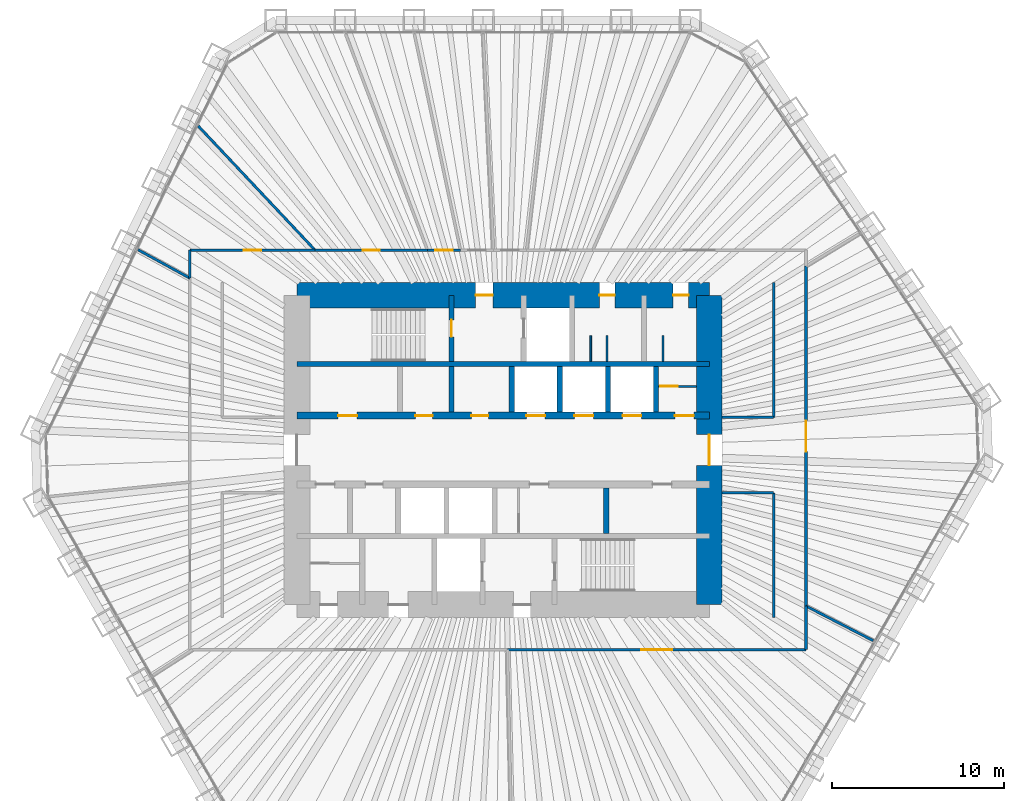
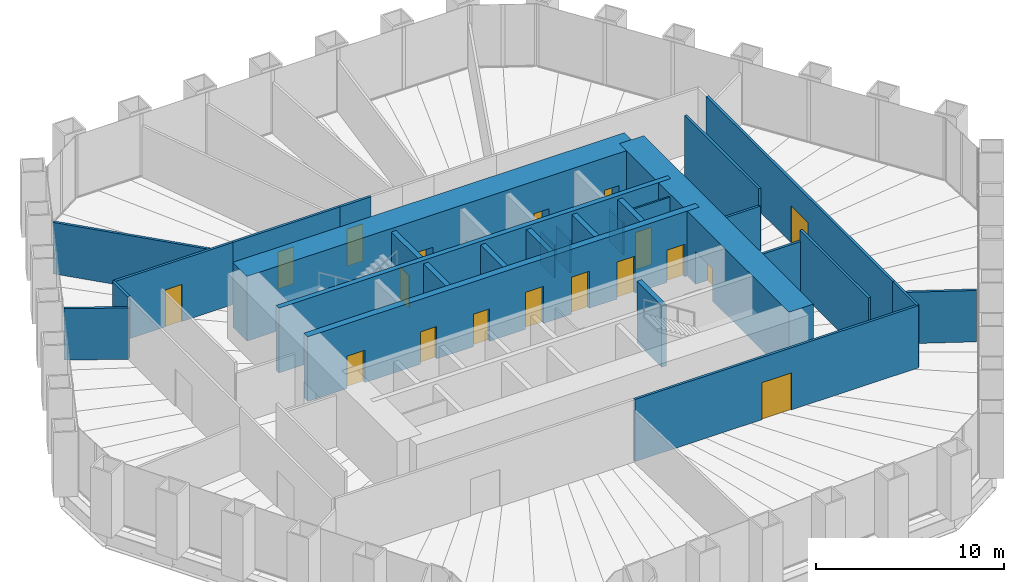
# One storey, part 11 of 13: 29 walls, 18 doors, 18 openings.
"""IFC4 building model written with IfcOpenShell, lengths in metres."""

from ifc_helpers import new_model, si_unit, direction, frame, frame_2d, origin, place, context, subcontext, project, spatial, rectangle, extrude, material, layer, layer_set, type_object, element, fill, save


model = new_model("IFC4")

# Units and contexts
model_context = context("Model", 3, precision=1e-05, world=origin(), true_north=direction((0.0, 1.0)))
body_context = subcontext(model_context, "Body", "Model", "MODEL_VIEW")
ifc_project = project(units=[si_unit("LENGTHUNIT", "METRE"), si_unit("AREAUNIT", "SQUARE_METRE"), si_unit("VOLUMEUNIT", "CUBIC_METRE"), si_unit("PLANEANGLEUNIT", "RADIAN"), si_unit("MASSUNIT", "GRAM", prefix="KILO")], contexts=[model_context])

# Site, building, storey
site_placement = place(None, origin())
site = spatial("IfcSite", under=ifc_project, at=site_placement, CompositionType="ELEMENT")
building_placement = place(site_placement, origin())
building = spatial("IfcBuilding", under=site, at=building_placement, Name="Qingtian Harvest Tower", CompositionType="ELEMENT")
storey_placement = place(building_placement, frame((0.0, 0.0, 136.60009765625)))
storey = spatial("IfcBuildingStorey", under=building, at=storey_placement, Name="L28", CompositionType="ELEMENT", Elevation=136.60009765625)

# Wall
ifc_material_1 = material(Name="Concrete fc' 70 MPa", Category="concrete")
ifc_layer_1 = layer(ifc_material_1, 0.300048828125)
ifc_layer_set_1 = layer_set([ifc_layer_1], Name="Core inner wall RC5 300")
wall_type_1 = type_object("IfcWallType", Name="Core inner wall RC5 300", PredefinedType="SHEAR", material=ifc_layer_set_1)
wall_1_placement = place(storey_placement, frame((-12.0, 5.0, 0.0), z_axis=(0.0, 0.0, 1.0), x_axis=(1.0, 0.0, 0.0)))
element("IfcWall", 1, at=wall_1_placement, inside=storey, type_object=wall_type_1, Name="Core wall IN5 L28", PredefinedType="SHEAR", context=body_context, shape_type="SweptSolid", body=[
    extrude(rectangle(XDim=24.0, YDim=0.300048828125, at=frame_2d((12.0, 0.0))), origin(), (0.0, 0.0, 1.0), 4.199951171875),
])

# Wall, openings, doors
ifc_material_2 = material(Name="Concrete fc' 70 MPa", Category="concrete")
ifc_layer_2 = layer(ifc_material_2, 0.39990234375)
ifc_layer_set_2 = layer_set([ifc_layer_2], Name="Core inner web RC6 400")
wall_type_2 = type_object("IfcWallType", Name="Core inner web RC6 400", PredefinedType="SHEAR", material=ifc_layer_set_2)
wall_2_placement = place(storey_placement, frame((-12.0, 2.0, 0.0), z_axis=(0.0, 0.0, 1.0), x_axis=(1.0, 0.0, 0.0)))
wall_2 = element("IfcWall", 2, at=wall_2_placement, inside=storey, type_object=wall_type_2, Name="Core wall IN2 L28", PredefinedType="SHEAR", context=body_context, shape_type="SweptSolid", body=[
    extrude(rectangle(XDim=24.0, YDim=0.39990234375, at=frame_2d((12.0, 0.0))), origin(), (0.0, 0.0, 1.0), 4.199951171875),
])
opening_1_placement = place(wall_2_placement, frame((2.39990234375, 0.0, 0.0)))
opening_1 = element("IfcOpeningElement", 3, at=opening_1_placement, cuts=wall_2, Name="Opening FD4", PredefinedType="OPENING", context=body_context, shape_type="SweptSolid", body=[
    extrude(rectangle(XDim=1.10009765625, YDim=2.10009765625, at=frame_2d((0.550048828125, 1.050048828125))), frame((0.0, 0.2099609375, 0.0), z_axis=(0.0, -1.0, 0.0), x_axis=(1.0, 0.0, 0.0)), (0.0, 0.0, 1.0), 0.419921875),
])
opening_2_placement = place(wall_2_placement, frame((22.0, 0.0, 0.0)))
opening_2 = element("IfcOpeningElement", 4, at=opening_2_placement, cuts=wall_2, Name="Opening FD4", PredefinedType="OPENING", context=body_context, shape_type="SweptSolid", body=[
    extrude(rectangle(XDim=1.10009765625, YDim=2.10009765625, at=frame_2d((0.550048828125, 1.050048828125))), frame((0.0, 0.2099609375, 0.0), z_axis=(0.0, -1.0, 0.0), x_axis=(1.0, 0.0, 0.0)), (0.0, 0.0, 1.0), 0.419921875),
])
opening_3_placement = place(wall_2_placement, frame((10.14990234375, 0.0, 0.0)))
opening_3 = element("IfcOpeningElement", 5, at=opening_3_placement, cuts=wall_2, Name="Opening FD1", PredefinedType="OPENING", context=body_context, shape_type="SweptSolid", body=[
    extrude(rectangle(XDim=1.0, YDim=2.10009765625, at=frame_2d((0.5, 1.050048828125))), frame((0.0, 0.2099609375, 0.0), z_axis=(0.0, -1.0, 0.0), x_axis=(1.0, 0.0, 0.0)), (0.0, 0.0, 1.0), 0.419921875),
])
opening_4_placement = place(wall_2_placement, frame((6.89990234375, 0.0, 0.0)))
opening_4 = element("IfcOpeningElement", 6, at=opening_4_placement, cuts=wall_2, Name="Opening FD1", PredefinedType="OPENING", context=body_context, shape_type="SweptSolid", body=[
    extrude(rectangle(XDim=1.0, YDim=2.10009765625, at=frame_2d((0.5, 1.050048828125))), frame((0.0, 0.2099609375, 0.0), z_axis=(0.0, -1.0, 0.0), x_axis=(1.0, 0.0, 0.0)), (0.0, 0.0, 1.0), 0.419921875),
])
opening_5_placement = place(wall_2_placement, frame((13.35009765625, 0.0, 0.0)))
opening_5 = element("IfcOpeningElement", 7, at=opening_5_placement, cuts=wall_2, Name="Opening LD1", PredefinedType="OPENING", context=body_context, shape_type="SweptSolid", body=[
    extrude(rectangle(XDim=1.10009765625, YDim=2.39990234375, at=frame_2d((0.550048828125, 1.199951171875))), frame((0.0, 0.2099609375, 0.0), z_axis=(0.0, -1.0, 0.0), x_axis=(1.0, 0.0, 0.0)), (0.0, 0.0, 1.0), 0.419921875),
])
opening_6_placement = place(wall_2_placement, frame((16.14990234375, 0.0, 0.0)))
opening_6 = element("IfcOpeningElement", 8, at=opening_6_placement, cuts=wall_2, Name="Opening LD1", PredefinedType="OPENING", context=body_context, shape_type="SweptSolid", body=[
    extrude(rectangle(XDim=1.10009765625, YDim=2.39990234375, at=frame_2d((0.550048828125, 1.199951171875))), frame((0.0, 0.2099609375, 0.0), z_axis=(0.0, -1.0, 0.0), x_axis=(1.0, 0.0, 0.0)), (0.0, 0.0, 1.0), 0.419921875),
])
opening_7_placement = place(wall_2_placement, frame((18.949951171875, 0.0, 0.0)))
opening_7 = element("IfcOpeningElement", 9, at=opening_7_placement, cuts=wall_2, Name="Opening LD1", PredefinedType="OPENING", context=body_context, shape_type="SweptSolid", body=[
    extrude(rectangle(XDim=1.10009765625, YDim=2.39990234375, at=frame_2d((0.550048828125, 1.199951171875))), frame((0.0, 0.2099609375, 0.0), z_axis=(0.0, -1.0, 0.0), x_axis=(1.0, 0.0, 0.0)), (0.0, 0.0, 1.0), 0.419921875),
])
ifc_material_3 = material(Name="Steel-faced door leaf", Category="steel")
door_type_1 = type_object("IfcDoorType", Name="Fire door FD1 single 1 HR", OperationType="SINGLE_SWING_LEFT", PredefinedType="DOOR", material=ifc_material_3)
door_1_placement = place(opening_3_placement, origin())
door_1 = element("IfcDoor", 10, at=door_1_placement, inside=storey, type_object=door_type_1, Name="STA door L28", OperationType="SINGLE_SWING_LEFT", OverallHeight=2.10009765625, OverallWidth=1.0, PredefinedType="DOOR", context=body_context, shape_type="SweptSolid", body=[
    extrude(rectangle(XDim=1.0, YDim=2.10009765625, at=frame_2d((0.5, 1.050048828125))), frame((0.0, 0.02490234375, 0.0), z_axis=(0.0, -1.0, 0.0), x_axis=(1.0, 0.0, 0.0)), (0.0, 0.0, 1.0), 0.050048828125),
])
fill(opening_3, door_1)
door_2_placement = place(opening_4_placement, origin())
door_2 = element("IfcDoor", 11, at=door_2_placement, inside=storey, type_object=door_type_1, Name="IT room door L28", OperationType="SINGLE_SWING_LEFT", OverallHeight=2.10009765625, OverallWidth=1.0, PredefinedType="DOOR", context=body_context, shape_type="SweptSolid", body=[
    extrude(rectangle(XDim=1.0, YDim=2.10009765625, at=frame_2d((0.5, 1.050048828125))), frame((0.0, 0.02490234375, 0.0), z_axis=(0.0, -1.0, 0.0), x_axis=(1.0, 0.0, 0.0)), (0.0, 0.0, 1.0), 0.050048828125),
])
fill(opening_4, door_2)
ifc_material_4 = material(Name="Steel-faced door leaf", Category="steel")
door_type_2 = type_object("IfcDoorType", Name="Fire door FD4 single 2 HR", OperationType="SINGLE_SWING_LEFT", PredefinedType="DOOR", material=ifc_material_4)
door_3_placement = place(opening_1_placement, origin())
door_3 = element("IfcDoor", 12, at=door_3_placement, inside=storey, type_object=door_type_2, Name="RA door L28", OperationType="SINGLE_SWING_RIGHT", OverallHeight=2.10009765625, OverallWidth=1.10009765625, PredefinedType="DOOR", context=body_context, shape_type="SweptSolid", body=[
    extrude(rectangle(XDim=1.10009765625, YDim=2.10009765625, at=frame_2d((0.550048828125, 1.050048828125))), frame((0.0, 0.02490234375, 0.0), z_axis=(0.0, -1.0, 0.0), x_axis=(1.0, 0.0, 0.0)), (0.0, 0.0, 1.0), 0.050048828125),
])
fill(opening_1, door_3)
door_4_placement = place(opening_2_placement, origin())
door_4 = element("IfcDoor", 13, at=door_4_placement, inside=storey, type_object=door_type_2, Name="AHU door L28", OperationType="SINGLE_SWING_RIGHT", OverallHeight=2.10009765625, OverallWidth=1.10009765625, PredefinedType="DOOR", context=body_context, shape_type="SweptSolid", body=[
    extrude(rectangle(XDim=1.10009765625, YDim=2.10009765625, at=frame_2d((0.550048828125, 1.050048828125))), frame((0.0, 0.02490234375, 0.0), z_axis=(0.0, -1.0, 0.0), x_axis=(1.0, 0.0, 0.0)), (0.0, 0.0, 1.0), 0.050048828125),
])
fill(opening_2, door_4)
ifc_material_5 = material(Name="Stainless steel lift landing door", Category="steel")
door_type_3 = type_object("IfcDoorType", Name="Lift landing door LD1 1 HR", OperationType="DOUBLE_DOOR_SLIDING", PredefinedType="DOOR", material=ifc_material_5)
door_5_placement = place(opening_5_placement, origin())
door_5 = element("IfcDoor", 14, at=door_5_placement, inside=storey, type_object=door_type_3, Name="PLB1 landing door L28", OperationType="DOUBLE_DOOR_SLIDING", OverallHeight=2.39990234375, OverallWidth=1.10009765625, PredefinedType="DOOR", context=body_context, shape_type="SweptSolid", body=[
    extrude(rectangle(XDim=1.10009765625, YDim=2.39990234375, at=frame_2d((0.550048828125, 1.199951171875))), frame((0.0, 0.02490234375, 0.0), z_axis=(0.0, -1.0, 0.0), x_axis=(1.0, 0.0, 0.0)), (0.0, 0.0, 1.0), 0.050048828125),
])
fill(opening_5, door_5)
door_6_placement = place(opening_6_placement, origin())
door_6 = element("IfcDoor", 15, at=door_6_placement, inside=storey, type_object=door_type_3, Name="PLB2 landing door L28", OperationType="DOUBLE_DOOR_SLIDING", OverallHeight=2.39990234375, OverallWidth=1.10009765625, PredefinedType="DOOR", context=body_context, shape_type="SweptSolid", body=[
    extrude(rectangle(XDim=1.10009765625, YDim=2.39990234375, at=frame_2d((0.550048828125, 1.199951171875))), frame((0.0, 0.02490234375, 0.0), z_axis=(0.0, -1.0, 0.0), x_axis=(1.0, 0.0, 0.0)), (0.0, 0.0, 1.0), 0.050048828125),
])
fill(opening_6, door_6)
door_7_placement = place(opening_7_placement, origin())
door_7 = element("IfcDoor", 16, at=door_7_placement, inside=storey, type_object=door_type_3, Name="PLB3 landing door L28", OperationType="DOUBLE_DOOR_SLIDING", OverallHeight=2.39990234375, OverallWidth=1.10009765625, PredefinedType="DOOR", context=body_context, shape_type="SweptSolid", body=[
    extrude(rectangle(XDim=1.10009765625, YDim=2.39990234375, at=frame_2d((0.550048828125, 1.199951171875))), frame((0.0, 0.02490234375, 0.0), z_axis=(0.0, -1.0, 0.0), x_axis=(1.0, 0.0, 0.0)), (0.0, 0.0, 1.0), 0.050048828125),
])
fill(opening_7, door_7)

# Wall, opening, door
ifc_material_6 = material(Name="Precast concrete shaft panel", Category="concrete")
ifc_layer_3 = layer(ifc_material_6, 0.300048828125)
ifc_layer_set_3 = layer_set([ifc_layer_3], Name="Core shaft partition SW1 300")
wall_type_3 = type_object("IfcWallType", Name="Core shaft partition SW1 300", PredefinedType="PARTITIONING", material=ifc_layer_set_3)
wall_3_placement = place(storey_placement, frame((-3.0, 5.14990234375, 0.0), z_axis=(0.0, 0.0, 1.0), x_axis=(0.0, 1.0, 0.0)))
wall_3 = element("IfcWall", 17, at=wall_3_placement, inside=storey, type_object=wall_type_3, Name="Core shaft partition XN1 L28", PredefinedType="PARTITIONING", context=body_context, shape_type="SweptSolid", body=[
    extrude(rectangle(XDim=3.85009765625, YDim=0.300048828125, at=frame_2d((1.925048828125, 0.0))), origin(), (0.0, 0.0, 1.0), 3.97998046875),
])
opening_8_placement = place(wall_3_placement, frame((1.425048828125, 0.0, 0.0)))
opening_8 = element("IfcOpeningElement", 18, at=opening_8_placement, cuts=wall_3, Name="Opening FD1", PredefinedType="OPENING", context=body_context, shape_type="SweptSolid", body=[
    extrude(rectangle(XDim=1.0, YDim=2.10009765625, at=frame_2d((0.5, 1.050048828125))), frame((0.0, 0.159912109375, 0.0), z_axis=(0.0, -1.0, 0.0), x_axis=(1.0, 0.0, 0.0)), (0.0, 0.0, 1.0), 0.320068359375),
])
door_8_placement = place(opening_8_placement, origin())
door_8 = element("IfcDoor", 19, at=door_8_placement, inside=storey, type_object=door_type_1, Name="S1 door L28", OperationType="SINGLE_SWING_RIGHT", OverallHeight=2.10009765625, OverallWidth=1.0, PredefinedType="DOOR", context=body_context, shape_type="SweptSolid", body=[
    extrude(rectangle(XDim=1.0, YDim=2.10009765625, at=frame_2d((0.5, 1.050048828125))), frame((0.0, 0.02490234375, 0.0), z_axis=(0.0, -1.0, 0.0), x_axis=(1.0, 0.0, 0.0)), (0.0, 0.0, 1.0), 0.050048828125),
])
fill(opening_8, door_8)

# Walls
for number, where, z_axis, x_axis, name in (
    (20, (-3.0, 2.199951171875, 0.0), (0.0, 0.0, 1.0), (0.0, 1.0, 0.0), "Core shaft partition XA2 L28"),
    (21, (0.5, 2.199951171875, 0.0), (0.0, 0.0, 1.0), (0.0, 1.0, 0.0), "Core shaft partition XA3 L28"),
    (22, (3.300048828125, 2.199951171875, 0.0), (0.0, 0.0, 1.0), (0.0, 1.0, 0.0), "Core shaft partition XA4 L28"),
    (23, (6.10009765625, 2.199951171875, 0.0), (0.0, 0.0, 1.0), (0.0, 1.0, 0.0), "Core shaft partition XA5 L28"),
    (24, (8.89990234375, 2.199951171875, 0.0), (0.0, 0.0, 1.0), (0.0, 1.0, 0.0), "Core shaft partition XA6 L28"),
    (25, (6.0, -4.85009765625, 0.0), (0.0, 0.0, 1.0), (0.0, 1.0, 0.0), "Core shaft partition XB5 L28"),
):
    element("IfcWall", number, at=place(storey_placement, frame(where, z_axis=z_axis, x_axis=x_axis)), inside=storey, type_object=wall_type_3, Name=name, PredefinedType="PARTITIONING", context=body_context, shape_type="SweptSolid", body=[
        extrude(rectangle(XDim=2.650146484375, YDim=0.300048828125, at=frame_2d((1.3251953125, 0.0))), origin(), (0.0, 0.0, 1.0), 3.97998046875),
    ])

# Wall, openings, doors
ifc_material_7 = material(Name="Concrete fc' 70 MPa", Category="concrete")
ifc_layer_4 = layer(ifc_material_7, 1.5)
ifc_layer_set_4 = layer_set([ifc_layer_4], Name="Core wall RC1 1500")
wall_type_4 = type_object("IfcWallType", Name="Core wall RC1 1500", PredefinedType="SHEAR", material=ifc_layer_set_4)
wall_4_placement = place(storey_placement, frame((-12.0, 9.0, 0.0), z_axis=(0.0, 0.0, 1.0), x_axis=(1.0, 0.0, 0.0)))
wall_4 = element("IfcWall", 26, at=wall_4_placement, inside=storey, type_object=wall_type_4, Name="Core wall CN L28", PredefinedType="SHEAR", context=body_context, shape_type="SweptSolid", body=[
    extrude(rectangle(XDim=24.0, YDim=1.5, at=frame_2d((12.0, 0.0))), origin(), (0.0, 0.0, 1.0), 4.199951171875),
])
opening_9_placement = place(wall_4_placement, frame((10.39990234375, 0.0, 0.0)))
opening_9 = element("IfcOpeningElement", 27, at=opening_9_placement, cuts=wall_4, Name="Opening FD1", PredefinedType="OPENING", context=body_context, shape_type="SweptSolid", body=[
    extrude(rectangle(XDim=1.0, YDim=2.10009765625, at=frame_2d((0.5, 1.050048828125))), frame((0.0, 0.760009765625, 0.0), z_axis=(0.0, -1.0, 0.0), x_axis=(1.0, 0.0, 0.0)), (0.0, 0.0, 1.0), 1.52001953125),
])
opening_10_placement = place(wall_4_placement, frame((17.60009765625, 0.0, 0.0)))
opening_10 = element("IfcOpeningElement", 28, at=opening_10_placement, cuts=wall_4, Name="Opening D1", PredefinedType="OPENING", context=body_context, shape_type="SweptSolid", body=[
    extrude(rectangle(XDim=0.89990234375, YDim=2.10009765625, at=frame_2d((0.449951171875, 1.050048828125))), frame((0.0, 0.760009765625, 0.0), z_axis=(0.0, -1.0, 0.0), x_axis=(1.0, 0.0, 0.0)), (0.0, 0.0, 1.0), 1.52001953125),
])
opening_11_placement = place(wall_4_placement, frame((21.89990234375, 0.0, 0.0)))
opening_11 = element("IfcOpeningElement", 29, at=opening_11_placement, cuts=wall_4, Name="Opening D1", PredefinedType="OPENING", context=body_context, shape_type="SweptSolid", body=[
    extrude(rectangle(XDim=0.89990234375, YDim=2.10009765625, at=frame_2d((0.449951171875, 1.050048828125))), frame((0.0, 0.760009765625, 0.0), z_axis=(0.0, -1.0, 0.0), x_axis=(1.0, 0.0, 0.0)), (0.0, 0.0, 1.0), 1.52001953125),
])
door_9_placement = place(opening_9_placement, origin())
door_9 = element("IfcDoor", 30, at=door_9_placement, inside=storey, type_object=door_type_1, Name="V1 door L28", OperationType="SINGLE_SWING_RIGHT", OverallHeight=2.10009765625, OverallWidth=1.0, PredefinedType="DOOR", context=body_context, shape_type="SweptSolid", body=[
    extrude(rectangle(XDim=1.0, YDim=2.10009765625, at=frame_2d((0.5, 1.050048828125))), frame((0.0, 0.02490234375, 0.0), z_axis=(0.0, -1.0, 0.0), x_axis=(1.0, 0.0, 0.0)), (0.0, 0.0, 1.0), 0.050048828125),
])
fill(opening_9, door_9)
ifc_material_8 = material(Name="Laminated timber door leaf", Category="wood")
door_type_4 = type_object("IfcDoorType", Name="Toilet door D1 single", OperationType="SINGLE_SWING_LEFT", PredefinedType="DOOR", material=ifc_material_8)
door_10_placement = place(opening_10_placement, origin())
door_10 = element("IfcDoor", 31, at=door_10_placement, inside=storey, type_object=door_type_4, Name="WCM door L28", OperationType="SINGLE_SWING_LEFT", OverallHeight=2.10009765625, OverallWidth=0.89990234375, PredefinedType="DOOR", context=body_context, shape_type="SweptSolid", body=[
    extrude(rectangle(XDim=0.89990234375, YDim=2.10009765625, at=frame_2d((0.449951171875, 1.050048828125))), frame((0.0, 0.02490234375, 0.0), z_axis=(0.0, -1.0, 0.0), x_axis=(1.0, 0.0, 0.0)), (0.0, 0.0, 1.0), 0.050048828125),
])
fill(opening_10, door_10)
door_11_placement = place(opening_11_placement, origin())
door_11 = element("IfcDoor", 32, at=door_11_placement, inside=storey, type_object=door_type_4, Name="WCF door L28", OperationType="SINGLE_SWING_LEFT", OverallHeight=2.10009765625, OverallWidth=0.89990234375, PredefinedType="DOOR", context=body_context, shape_type="SweptSolid", body=[
    extrude(rectangle(XDim=0.89990234375, YDim=2.10009765625, at=frame_2d((0.449951171875, 1.050048828125))), frame((0.0, 0.02490234375, 0.0), z_axis=(0.0, -1.0, 0.0), x_axis=(1.0, 0.0, 0.0)), (0.0, 0.0, 1.0), 0.050048828125),
])
fill(opening_11, door_11)

# Wall, opening, door
wall_5_placement = place(storey_placement, frame((12.0, -9.0, 0.0), z_axis=(0.0, 0.0, 1.0), x_axis=(0.0, 1.0, 0.0)))
wall_5 = element("IfcWall", 33, at=wall_5_placement, inside=storey, type_object=wall_type_4, Name="Core wall CE L28", PredefinedType="SHEAR", context=body_context, shape_type="SweptSolid", body=[
    extrude(rectangle(XDim=18.0, YDim=1.5, at=frame_2d((9.0, 0.0))), origin(), (0.0, 0.0, 1.0), 4.199951171875),
])
opening_12_placement = place(wall_5_placement, frame((8.10009765625, 0.0, 0.0)))
opening_12 = element("IfcOpeningElement", 34, at=opening_12_placement, cuts=wall_5, Name="Opening FD2", PredefinedType="OPENING", context=body_context, shape_type="SweptSolid", body=[
    extrude(rectangle(XDim=1.800048828125, YDim=2.10009765625, at=frame_2d((0.89990234375, 1.050048828125))), frame((0.0, 0.760009765625, 0.0), z_axis=(0.0, -1.0, 0.0), x_axis=(1.0, 0.0, 0.0)), (0.0, 0.0, 1.0), 1.52001953125),
])
ifc_material_9 = material(Name="Steel-faced door leaf", Category="steel")
door_type_5 = type_object("IfcDoorType", Name="Fire door FD2 double 1 HR", OperationType="DOUBLE_DOOR_DOUBLE_SWING", PredefinedType="DOOR", material=ifc_material_9)
door_12_placement = place(opening_12_placement, origin())
door_12 = element("IfcDoor", 35, at=door_12_placement, inside=storey, type_object=door_type_5, Name="LOBBY-E door L28", OperationType="DOUBLE_DOOR_DOUBLE_SWING", OverallHeight=2.10009765625, OverallWidth=1.800048828125, PredefinedType="DOOR", context=body_context, shape_type="SweptSolid", body=[
    extrude(rectangle(XDim=1.800048828125, YDim=2.10009765625, at=frame_2d((0.89990234375, 1.050048828125))), frame((0.0, 0.02490234375, 0.0), z_axis=(0.0, -1.0, 0.0), x_axis=(1.0, 0.0, 0.0)), (0.0, 0.0, 1.0), 0.050048828125),
])
fill(opening_12, door_12)

ifc_material_10 = material(Name="Gypsum board on steel studs", Category="steel")
ifc_layer_5 = layer(ifc_material_10, 0.14990234375)
ifc_layer_set_5 = layer_set([ifc_layer_5], Name="Partition PT1 150")
wall_type_5 = type_object("IfcWallType", Name="Partition PT1 150", PredefinedType="PARTITIONING", material=ifc_layer_set_5)
wall_6_placement = place(storey_placement, frame((17.625, 10.69775390625, 0.0), z_axis=(0.0, 0.0, 1.0), x_axis=(0.0, -1.0, 0.0)))
wall_6 = element("IfcWall", 36, at=wall_6_placement, inside=storey, type_object=wall_type_5, Name="Office suite wall L28", PredefinedType="PARTITIONING", context=body_context, shape_type="SweptSolid", body=[
    extrude(rectangle(XDim=19.77783203125, YDim=0.14990234375, at=frame_2d((9.888916015625, 0.0))), origin(), (0.0, 0.0, 1.0), 4.02978515625),
])
opening_13_placement = place(wall_6_placement, frame((8.98876953125, 0.0, 0.0)))
opening_13 = element("IfcOpeningElement", 37, at=opening_13_placement, cuts=wall_6, Name="Opening D3", PredefinedType="OPENING", context=body_context, shape_type="SweptSolid", body=[
    extrude(rectangle(XDim=1.800048828125, YDim=2.39990234375, at=frame_2d((0.89990234375, 1.199951171875))), frame((0.0, 0.0849609375, 0.0), z_axis=(0.0, -1.0, 0.0), x_axis=(1.0, 0.0, 0.0)), (0.0, 0.0, 1.0), 0.169921875),
])
ifc_material_11 = material(Name="Laminated timber door leaf", Category="wood")
door_type_6 = type_object("IfcDoorType", Name="Room door D3 double", OperationType="DOUBLE_DOOR_DOUBLE_SWING", PredefinedType="DOOR", material=ifc_material_11)
door_13_placement = place(opening_13_placement, origin())
door_13 = element("IfcDoor", 38, at=door_13_placement, inside=storey, type_object=door_type_6, Name="Office suite door L28", OperationType="DOUBLE_DOOR_DOUBLE_SWING", OverallHeight=2.39990234375, OverallWidth=1.800048828125, PredefinedType="DOOR", context=body_context, shape_type="SweptSolid", body=[
    extrude(rectangle(XDim=1.800048828125, YDim=2.39990234375, at=frame_2d((0.89990234375, 1.199951171875))), frame((0.0, 0.02490234375, 0.0), z_axis=(0.0, -1.0, 0.0), x_axis=(1.0, 0.0, 0.0)), (0.0, 0.0, 1.0), 0.050048828125),
])
fill(opening_13, door_13)

# Walls
wall_7_placement = place(storey_placement, frame((21.537841796875, -11.095703125, 0.0), z_axis=(0.0, 0.0, 1.0), x_axis=(-0.888982083501, 0.457941977999, 0.0)))
element("IfcWall", 39, at=wall_7_placement, inside=storey, type_object=wall_type_5, Name="Office suite wall L28", PredefinedType="PARTITIONING", context=body_context, shape_type="SweptSolid", body=[
    extrude(rectangle(XDim=4.4013671875, YDim=0.14990234375, at=frame_2d((2.20068359375, 0.0))), origin(), (0.0, 0.0, 1.0), 3.329833984375),
])
wall_8_placement = place(storey_placement, frame((17.625, -9.080078125, 0.0), z_axis=(0.0, 0.0, 1.0), x_axis=(0.0, -1.0, 0.0)))
element("IfcWall", 40, at=wall_8_placement, inside=storey, type_object=wall_type_5, Name="Office suite wall L28", PredefinedType="PARTITIONING", context=body_context, shape_type="SweptSolid", body=[
    extrude(rectangle(XDim=2.544921875, YDim=0.14990234375, at=frame_2d((1.2724609375, 0.0))), origin(), (0.0, 0.0, 1.0), 4.02978515625),
])

# Wall, opening, door
wall_9_placement = place(storey_placement, frame((17.625, -11.625, 0.0), z_axis=(0.0, 0.0, 1.0), x_axis=(-1.0, 0.0, 0.0)))
wall_9 = element("IfcWall", 41, at=wall_9_placement, inside=storey, type_object=wall_type_5, Name="Office suite wall L28", PredefinedType="PARTITIONING", context=body_context, shape_type="SweptSolid", body=[
    extrude(rectangle(XDim=17.3701171875, YDim=0.14990234375, at=frame_2d((8.68505859375, 0.0))), origin(), (0.0, 0.0, 1.0), 4.02978515625),
])
opening_14_placement = place(wall_9_placement, frame((7.784912109375, 0.0, 0.0)))
opening_14 = element("IfcOpeningElement", 42, at=opening_14_placement, cuts=wall_9, Name="Opening D3", PredefinedType="OPENING", context=body_context, shape_type="SweptSolid", body=[
    extrude(rectangle(XDim=1.800048828125, YDim=2.39990234375, at=frame_2d((0.89990234375, 1.199951171875))), frame((0.0, 0.0849609375, 0.0), z_axis=(0.0, -1.0, 0.0), x_axis=(1.0, 0.0, 0.0)), (0.0, 0.0, 1.0), 0.169921875),
])
door_14_placement = place(opening_14_placement, origin())
door_14 = element("IfcDoor", 43, at=door_14_placement, inside=storey, type_object=door_type_6, Name="Office suite door L28", OperationType="DOUBLE_DOOR_DOUBLE_SWING", OverallHeight=2.39990234375, OverallWidth=1.800048828125, PredefinedType="DOOR", context=body_context, shape_type="SweptSolid", body=[
    extrude(rectangle(XDim=1.800048828125, YDim=2.39990234375, at=frame_2d((0.89990234375, 1.199951171875))), frame((0.0, 0.02490234375, 0.0), z_axis=(0.0, -1.0, 0.0), x_axis=(1.0, 0.0, 0.0)), (0.0, 0.0, 1.0), 0.050048828125),
])
fill(opening_14, door_14)

# Walls
wall_10_placement = place(storey_placement, frame((-21.242431640625, 11.65087890625, 0.0), z_axis=(0.0, 0.0, 1.0), x_axis=(0.876768023831, -0.480913539409, 0.0)))
element("IfcWall", 44, at=wall_10_placement, inside=storey, type_object=wall_type_5, Name="Pantry wall L28", PredefinedType="PARTITIONING", context=body_context, shape_type="SweptSolid", body=[
    extrude(rectangle(XDim=3.44140625, YDim=0.14990234375, at=frame_2d((1.720703125, 0.0))), origin(), (0.0, 0.0, 1.0), 3.329833984375),
])
wall_11_placement = place(storey_placement, frame((-18.22509765625, 9.995849609375, 0.0), z_axis=(0.0, 0.0, 1.0), x_axis=(0.0, 1.0, 0.0)))
element("IfcWall", 45, at=wall_11_placement, inside=storey, type_object=wall_type_5, Name="Pantry wall L28", PredefinedType="PARTITIONING", context=body_context, shape_type="SweptSolid", body=[
    extrude(rectangle(XDim=1.629150390625, YDim=0.14990234375, at=frame_2d((0.814453125, 0.0))), origin(), (0.0, 0.0, 1.0), 4.02978515625),
])

# Wall, opening, door
wall_12_placement = place(storey_placement, frame((-18.22509765625, 11.625, 0.0), z_axis=(0.0, 0.0, 1.0), x_axis=(1.0, 0.0, 0.0)))
wall_12 = element("IfcWall", 46, at=wall_12_placement, inside=storey, type_object=wall_type_5, Name="Pantry wall L28", PredefinedType="PARTITIONING", context=body_context, shape_type="SweptSolid", body=[
    extrude(rectangle(XDim=7.286376953125, YDim=0.14990234375, at=frame_2d((3.64306640625, 0.0))), origin(), (0.0, 0.0, 1.0), 4.02978515625),
])
opening_15_placement = place(wall_12_placement, frame((3.14306640625, 0.0, 0.0)))
opening_15 = element("IfcOpeningElement", 47, at=opening_15_placement, cuts=wall_12, Name="Opening D2", PredefinedType="OPENING", context=body_context, shape_type="SweptSolid", body=[
    extrude(rectangle(XDim=1.0, YDim=2.39990234375, at=frame_2d((0.5, 1.199951171875))), frame((0.0, 0.0849609375, 0.0), z_axis=(0.0, -1.0, 0.0), x_axis=(1.0, 0.0, 0.0)), (0.0, 0.0, 1.0), 0.169921875),
])
ifc_material_12 = material(Name="Laminated timber door leaf", Category="wood")
door_type_7 = type_object("IfcDoorType", Name="Room door D2 single", OperationType="SINGLE_SWING_LEFT", PredefinedType="DOOR", material=ifc_material_12)
door_15_placement = place(opening_15_placement, origin())
door_15 = element("IfcDoor", 48, at=door_15_placement, inside=storey, type_object=door_type_7, Name="Pantry door L28", OperationType="SINGLE_SWING_LEFT", OverallHeight=2.39990234375, OverallWidth=1.0, PredefinedType="DOOR", context=body_context, shape_type="SweptSolid", body=[
    extrude(rectangle(XDim=1.0, YDim=2.39990234375, at=frame_2d((0.5, 1.199951171875))), frame((0.0, 0.02490234375, 0.0), z_axis=(0.0, -1.0, 0.0), x_axis=(1.0, 0.0, 0.0)), (0.0, 0.0, 1.0), 0.050048828125),
])
fill(opening_15, door_15)

# Wall
wall_13_placement = place(storey_placement, frame((-17.738037109375, 18.850830078125, 0.0), z_axis=(0.0, 0.0, 1.0), x_axis=(0.685286406267, -0.728273672039, 0.0)))
element("IfcWall", 49, at=wall_13_placement, inside=storey, type_object=wall_type_5, Name="Meeting room wall L28", PredefinedType="PARTITIONING", context=body_context, shape_type="SweptSolid", body=[
    extrude(rectangle(XDim=9.921875, YDim=0.14990234375, at=frame_2d((4.9609375, 0.0))), origin(), (0.0, 0.0, 1.0), 3.329833984375),
])

# Wall, opening, door
wall_14_placement = place(storey_placement, frame((-10.938720703125, 11.625, 0.0), z_axis=(0.0, 0.0, 1.0), x_axis=(1.0, 0.0, 0.0)))
wall_14 = element("IfcWall", 50, at=wall_14_placement, inside=storey, type_object=wall_type_5, Name="Meeting room wall L28", PredefinedType="PARTITIONING", context=body_context, shape_type="SweptSolid", body=[
    extrude(rectangle(XDim=6.5361328125, YDim=0.14990234375, at=frame_2d((3.26806640625, 0.0))), origin(), (0.0, 0.0, 1.0), 4.02978515625),
])
opening_16_placement = place(wall_14_placement, frame((2.76806640625, 0.0, 0.0)))
opening_16 = element("IfcOpeningElement", 51, at=opening_16_placement, cuts=wall_14, Name="Opening D2", PredefinedType="OPENING", context=body_context, shape_type="SweptSolid", body=[
    extrude(rectangle(XDim=1.0, YDim=2.39990234375, at=frame_2d((0.5, 1.199951171875))), frame((0.0, 0.0849609375, 0.0), z_axis=(0.0, -1.0, 0.0), x_axis=(1.0, 0.0, 0.0)), (0.0, 0.0, 1.0), 0.169921875),
])
door_16_placement = place(opening_16_placement, origin())
door_16 = element("IfcDoor", 52, at=door_16_placement, inside=storey, type_object=door_type_7, Name="Meeting room door L28", OperationType="SINGLE_SWING_LEFT", OverallHeight=2.39990234375, OverallWidth=1.0, PredefinedType="DOOR", context=body_context, shape_type="SweptSolid", body=[
    extrude(rectangle(XDim=1.0, YDim=2.39990234375, at=frame_2d((0.5, 1.199951171875))), frame((0.0, 0.02490234375, 0.0), z_axis=(0.0, -1.0, 0.0), x_axis=(1.0, 0.0, 0.0)), (0.0, 0.0, 1.0), 0.050048828125),
])
fill(opening_16, door_16)

wall_15_placement = place(storey_placement, frame((-4.402587890625, 11.625, 0.0), z_axis=(0.0, 0.0, 1.0), x_axis=(1.0, 0.0, 0.0)))
wall_15 = element("IfcWall", 53, at=wall_15_placement, inside=storey, type_object=wall_type_5, Name="Print room wall L28", PredefinedType="PARTITIONING", context=body_context, shape_type="SweptSolid", body=[
    extrude(rectangle(XDim=1.9228515625, YDim=0.14990234375, at=frame_2d((0.96142578125, 0.0))), origin(), (0.0, 0.0, 1.0), 4.02978515625),
])
opening_17_placement = place(wall_15_placement, frame((0.46142578125, 0.0, 0.0)))
opening_17 = element("IfcOpeningElement", 54, at=opening_17_placement, cuts=wall_15, Name="Opening D2", PredefinedType="OPENING", context=body_context, shape_type="SweptSolid", body=[
    extrude(rectangle(XDim=1.0, YDim=2.39990234375, at=frame_2d((0.5, 1.199951171875))), frame((0.0, 0.0849609375, 0.0), z_axis=(0.0, -1.0, 0.0), x_axis=(1.0, 0.0, 0.0)), (0.0, 0.0, 1.0), 0.169921875),
])
door_17_placement = place(opening_17_placement, origin())
door_17 = element("IfcDoor", 55, at=door_17_placement, inside=storey, type_object=door_type_7, Name="Print room door L28", OperationType="SINGLE_SWING_LEFT", OverallHeight=2.39990234375, OverallWidth=1.0, PredefinedType="DOOR", context=body_context, shape_type="SweptSolid", body=[
    extrude(rectangle(XDim=1.0, YDim=2.39990234375, at=frame_2d((0.5, 1.199951171875))), frame((0.0, 0.02490234375, 0.0), z_axis=(0.0, -1.0, 0.0), x_axis=(1.0, 0.0, 0.0)), (0.0, 0.0, 1.0), 0.050048828125),
])
fill(opening_17, door_17)

# Walls
wall_16_placement = place(storey_placement, frame((15.75, 1.89990234375, 0.0), z_axis=(0.0, 0.0, 1.0), x_axis=(0.0, 1.0, 0.0)))
element("IfcWall", 56, at=wall_16_placement, inside=storey, type_object=wall_type_5, Name="Breakout space wall L28", PredefinedType="PARTITIONING", context=body_context, shape_type="SweptSolid", body=[
    extrude(rectangle(XDim=7.85009765625, YDim=0.14990234375, at=frame_2d((3.925048828125, 0.0))), origin(), (0.0, 0.0, 1.0), 4.02978515625),
])
wall_17_placement = place(storey_placement, frame((12.75, 1.89990234375, 0.0), z_axis=(0.0, 0.0, 1.0), x_axis=(1.0, 0.0, 0.0)))
element("IfcWall", 57, at=wall_17_placement, inside=storey, type_object=wall_type_5, Name="Breakout space wall L28", PredefinedType="PARTITIONING", context=body_context, shape_type="SweptSolid", body=[
    extrude(rectangle(XDim=3.0, YDim=0.14990234375, at=frame_2d((1.5, 0.0))), origin(), (0.0, 0.0, 1.0), 2.929931640625),
])
wall_18_placement = place(storey_placement, frame((15.75, -9.75, 0.0), z_axis=(0.0, 0.0, 1.0), x_axis=(0.0, 1.0, 0.0)))
element("IfcWall", 58, at=wall_18_placement, inside=storey, type_object=wall_type_5, Name="Print area wall L28", PredefinedType="PARTITIONING", context=body_context, shape_type="SweptSolid", body=[
    extrude(rectangle(XDim=7.25, YDim=0.14990234375, at=frame_2d((3.625, 0.0))), origin(), (0.0, 0.0, 1.0), 4.02978515625),
])
wall_19_placement = place(storey_placement, frame((12.75, -2.5, 0.0), z_axis=(0.0, 0.0, 1.0), x_axis=(1.0, 0.0, 0.0)))
element("IfcWall", 59, at=wall_19_placement, inside=storey, type_object=wall_type_5, Name="Print area wall L28", PredefinedType="PARTITIONING", context=body_context, shape_type="SweptSolid", body=[
    extrude(rectangle(XDim=3.0, YDim=0.14990234375, at=frame_2d((1.5, 0.0))), origin(), (0.0, 0.0, 1.0), 3.329833984375),
])

# Wall, opening, door
ifc_material_13 = material(Name="Concrete block partition", Category="concrete")
ifc_layer_6 = layer(ifc_material_13, 0.10009765625)
ifc_layer_set_6 = layer_set([ifc_layer_6], Name="Store partition PT3 100")
wall_type_6 = type_object("IfcWallType", Name="Store partition PT3 100", PredefinedType="PARTITIONING", material=ifc_layer_set_6)
wall_20_placement = place(storey_placement, frame((9.050048828125, 3.699951171875, 0.0), z_axis=(0.0, 0.0, 1.0), x_axis=(1.0, 0.0, 0.0)))
wall_20 = element("IfcWall", 60, at=wall_20_placement, inside=storey, type_object=wall_type_6, Name="Filter plant room wall L28", PredefinedType="PARTITIONING", context=body_context, shape_type="SweptSolid", body=[
    extrude(rectangle(XDim=2.199951171875, YDim=0.10009765625, at=frame_2d((1.10009765625, 0.0))), origin(), (0.0, 0.0, 1.0), 3.97998046875),
])
opening_18_placement = place(wall_20_placement, frame((0.10009765625, 0.0, 0.0)))
opening_18 = element("IfcOpeningElement", 61, at=opening_18_placement, cuts=wall_20, Name="Opening D2", PredefinedType="OPENING", context=body_context, shape_type="SweptSolid", body=[
    extrude(rectangle(XDim=1.0, YDim=2.39990234375, at=frame_2d((0.5, 1.199951171875))), frame((0.0, 0.06005859375, 0.0), z_axis=(0.0, -1.0, 0.0), x_axis=(1.0, 0.0, 0.0)), (0.0, 0.0, 1.0), 0.1201171875),
])
door_18_placement = place(opening_18_placement, origin())
door_18 = element("IfcDoor", 62, at=door_18_placement, inside=storey, type_object=door_type_7, Name="Filter plant room door L28", OperationType="SINGLE_SWING_LEFT", OverallHeight=2.39990234375, OverallWidth=1.0, PredefinedType="DOOR", context=body_context, shape_type="SweptSolid", body=[
    extrude(rectangle(XDim=1.0, YDim=2.39990234375, at=frame_2d((0.5, 1.199951171875))), frame((0.0, 0.02490234375, 0.0), z_axis=(0.0, -1.0, 0.0), x_axis=(1.0, 0.0, 0.0)), (0.0, 0.0, 1.0), 0.050048828125),
])
fill(opening_18, door_18)

# Walls
ifc_material_14 = material(Name="Compact laminate cubicle partition", Category="plastic")
ifc_layer_7 = layer(ifc_material_14, 0.10009765625)
ifc_layer_set_7 = layer_set([ifc_layer_7], Name="WC cubicle partition WP1 100")
wall_type_7 = type_object("IfcWallType", Name="WC cubicle partition WP1 100", PredefinedType="PARTITIONING", material=ifc_layer_set_7)
for number, where, z_axis, x_axis, name in (
    (63, (5.10009765625, 5.14990234375, 0.0), (0.0, 0.0, 1.0), (0.0, 1.0, 0.0), "WC cubicle partition WCM L28"),
    (64, (6.050048828125, 5.14990234375, 0.0), (0.0, 0.0, 1.0), (0.0, 1.0, 0.0), "WC cubicle partition WCM L28"),
    (65, (9.300048828125, 5.14990234375, 0.0), (0.0, 0.0, 1.0), (0.0, 1.0, 0.0), "WC cubicle partition WCF L28"),
):
    element("IfcWall", number, at=place(storey_placement, frame(where, z_axis=z_axis, x_axis=x_axis)), inside=storey, type_object=wall_type_7, Name=name, PredefinedType="PARTITIONING", context=body_context, shape_type="SweptSolid", body=[
        extrude(rectangle(XDim=1.5, YDim=0.10009765625, at=frame_2d((0.75, 0.0))), origin(), (0.0, 0.0, 1.0), 2.099853515625),
    ])

save(model, "model.ifc")
